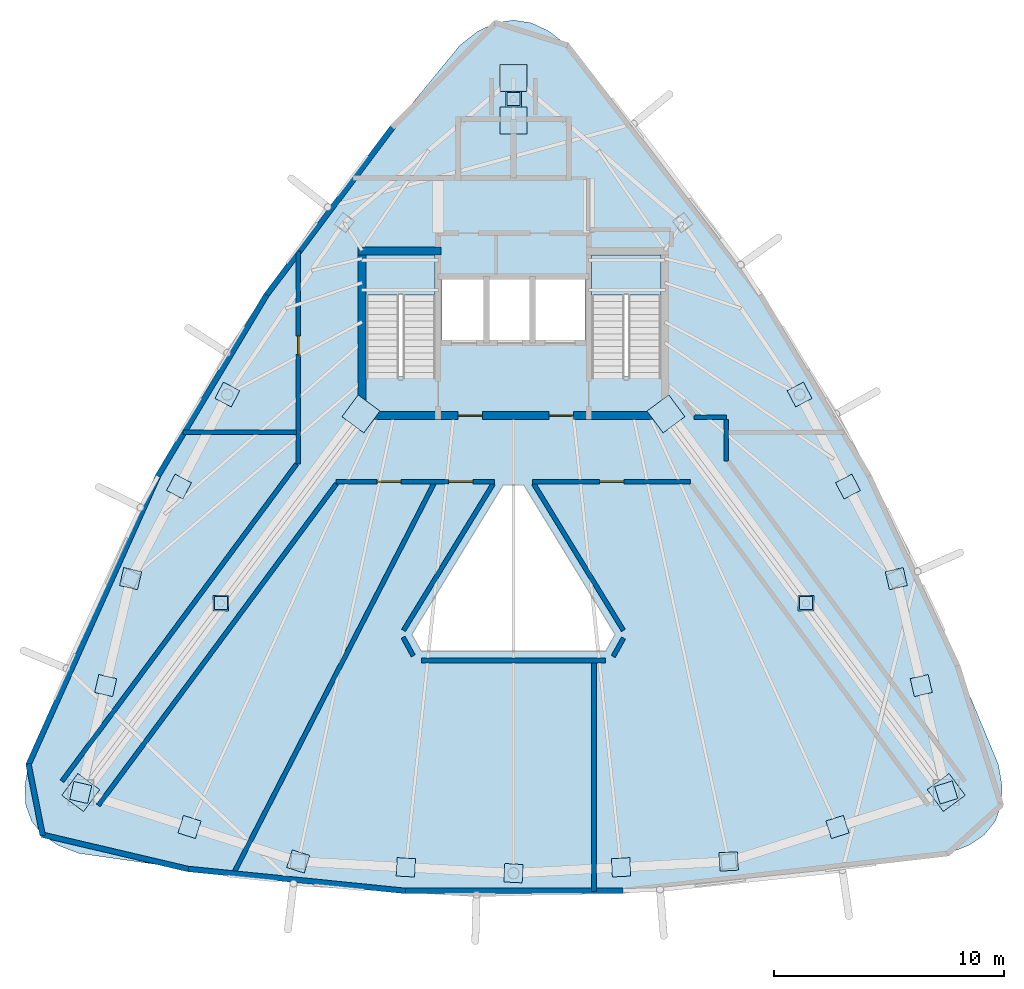
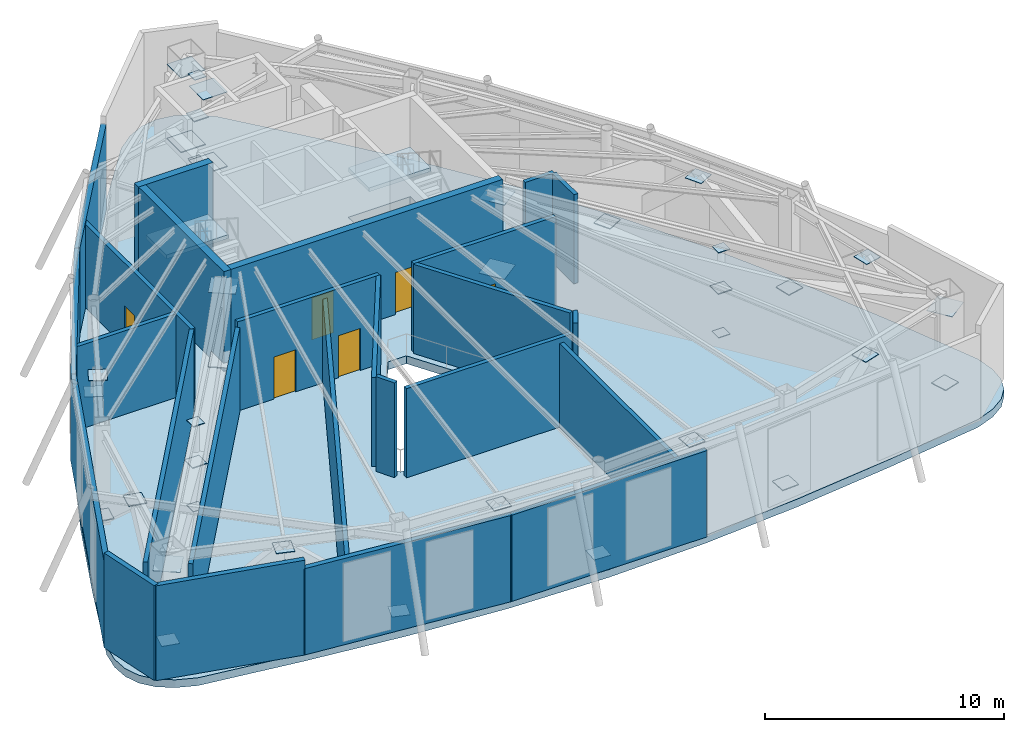
# One storey, part 5 of 9: 36 plates, 25 walls, 6 doors, 3 slabs, 6 openings, 2 elements without a shape of their own.
"""IFC4 building model written with IfcOpenShell, lengths in metres."""

from ifc_helpers import new_model, si_unit, direction, frame, frame_2d, origin, origin_2d, place, context, subcontext, project, spatial, polyline, rectangle, outline, extrude, material, layer, layer_set, type_object, element, fill, aggregate, save


model = new_model("IFC4")

# Units and contexts
model_context = context("Model", 3, precision=1e-05, world=origin(), true_north=direction((0.0, 1.0)))
body_context = subcontext(model_context, "Body", "Model", "MODEL_VIEW")
ifc_project = project(units=[si_unit("LENGTHUNIT", "METRE"), si_unit("AREAUNIT", "SQUARE_METRE"), si_unit("VOLUMEUNIT", "CUBIC_METRE"), si_unit("PLANEANGLEUNIT", "RADIAN"), si_unit("MASSUNIT", "GRAM", prefix="KILO")], contexts=[model_context])

# Site, building, storey
site_placement = place(None, origin())
site = spatial("IfcSite", under=ifc_project, at=site_placement, CompositionType="ELEMENT")
building_placement = place(site_placement, origin())
building = spatial("IfcBuilding", under=site, at=building_placement, Name="Orvanel Arch Residences", CompositionType="ELEMENT")
storey_placement = place(building_placement, frame((0.0, 0.0, 281.0)))
storey = spatial("IfcBuildingStorey", under=building, at=storey_placement, Name="L80", CompositionType="ELEMENT", Elevation=281.0)

# Plates
ifc_material_1 = material(Name="Structural steel AS/NZS 3678 Grade 350", Category="steel")
ifc_layer_1 = layer(ifc_material_1, 0.028076171875)
ifc_layer_set_1 = layer_set([ifc_layer_1], Name="Structural steel AS/NZS 3678 Grade 350")
plate_type_1 = type_object("IfcPlateType", Name="PL-CAP-28", PredefinedType="SHEET", material=ifc_layer_set_1)
for number, where, z_axis, x_axis, name in (
    (1, (16.366943359375, 19.64208984375, 0.2861328125), (0.0, 0.0, 1.0), (0.226651307437, 0.973975967279, 0.0), "L80 hollow member end cap plate"),
    (2, (15.282958984375, 14.9970703125, 4.2861328125), (0.0, 0.0, 1.0), (0.226651307437, 0.973975967279, 0.0), "L80 hollow member end cap plate"),
    (3, (14.198974609375, 10.35107421875, 0.2861328125), (0.0, 0.0, 1.0), (0.226651307437, 0.973975967279, 0.0), "L80 hollow member end cap plate"),
    (4, (18.924072265625, 8.85302734375, 4.2861328125), (0.0, 0.0, 1.0), (-0.953190667793, 0.30236989075, 0.0), "L80 hollow member end cap plate"),
    (5, (23.64892578125, 7.35498046875, 0.2861328125), (0.0, 0.0, 1.0), (-0.953190667793, 0.30236989075, 0.0), "L80 hollow member end cap plate"),
    (6, (28.324951171875, 7.10009765625, 4.2861328125), (0.0, 0.0, 1.0), (-0.998536670326, 0.054078812985, 0.0), "L80 hollow member end cap plate"),
    (7, (33.0, 6.843994140625, 0.2861328125), (0.0, 0.0, 1.0), (-0.998536670326, 0.054078812985, 0.0), "L80 hollow member end cap plate"),
    (8, (37.675048828125, 7.10009765625, 4.2861328125), (0.0, 0.0, 1.0), (0.998536670326, 0.054078812985, 0.0), "L80 hollow member end cap plate"),
    (9, (42.35107421875, 7.35498046875, 0.2861328125), (0.0, 0.0, 1.0), (0.998536670326, 0.054078812985, 0.0), "L80 hollow member end cap plate"),
    (10, (47.075927734375, 8.85302734375, 4.2861328125), (0.0, 0.0, 1.0), (0.953190667793, 0.30236989075, 0.0), "L80 hollow member end cap plate"),
    (11, (51.801025390625, 10.35107421875, 0.2861328125), (0.0, 0.0, 1.0), (0.953190667793, 0.30236989075, 0.0), "L80 hollow member end cap plate"),
    (12, (50.717041015625, 14.9970703125, 4.2861328125), (0.0, 0.0, 1.0), (-0.226651307437, 0.973975967279, 0.0), "L80 hollow member end cap plate"),
    (13, (49.633056640625, 19.64208984375, 0.2861328125), (0.0, 0.0, 1.0), (-0.226651307437, 0.973975967279, 0.0), "L80 hollow member end cap plate"),
    (14, (47.531982421875, 23.64208984375, 4.2861328125), (0.0, 0.0, 1.0), (-0.464842045725, 0.885393625754, 0.0), "L80 hollow member end cap plate"),
    (15, (45.430908203125, 27.64111328125, 0.2861328125), (0.0, 0.0, 1.0), (-0.464842045725, 0.885393625754, 0.0), "L80 hollow member end cap plate"),
    (16, (20.569091796875, 27.64111328125, 0.2861328125), (0.0, 0.0, 1.0), (0.464842045725, 0.885393625754, 0.0), "L80 hollow member end cap plate"),
    (17, (18.468017578125, 23.64208984375, 4.2861328125), (0.0, 0.0, 1.0), (0.464842045725, 0.885393625754, 0.0), "L80 hollow member end cap plate"),
):
    element("IfcPlate", number, at=place(storey_placement, frame(where, z_axis=z_axis, x_axis=x_axis)), inside=storey, type_object=plate_type_1, Name=name, PredefinedType="SHEET", context=body_context, shape_type="SweptSolid", body=[
        extrude(rectangle(XDim=0.800048828125, YDim=0.800048828125, at=origin_2d()), origin(), (0.0, 0.0, 1.0), 0.028076171875),
    ])
for number, where, z_axis, x_axis, name in (
    (18, (33.0, 39.550048828125, 0.3857421875), (0.0, 0.0, 1.0), (0.0, 1.0, 0.0), "L80 hollow member end cap plate"),
    (19, (33.0, 41.39794921875, 4.18603515625), (0.0, 0.0, 1.0), (0.0, 1.0, 0.0), "L80 hollow member end cap plate"),
    (20, (33.0, 39.550048828125, 4.18603515625), (0.0, 0.0, 1.0), (0.0, 1.0, 0.0), "L80 hollow member end cap plate"),
    (21, (33.0, 41.39794921875, 0.3857421875), (0.0, 0.0, 1.0), (0.0, 1.0, 0.0), "L80 hollow member end cap plate"),
    (22, (26.375, 26.800048828125, 0.3857421875), (0.0, 0.0, 1.0), (0.594822786751, 0.803856860617, 0.0), "L80 hollow member end cap plate"),
    (23, (14.198974609375, 10.35107421875, 4.18603515625), (0.0, 0.0, 1.0), (0.594822786751, 0.803856860617, 0.0), "L80 hollow member end cap plate"),
    (24, (26.375, 26.800048828125, 4.18603515625), (0.0, 0.0, 1.0), (0.594822786751, 0.803856860617, 0.0), "L80 hollow member end cap plate"),
    (25, (39.625, 26.800048828125, 0.3857421875), (0.0, 0.0, 1.0), (-0.594822786751, 0.803856860617, 0.0), "L80 hollow member end cap plate"),
    (26, (51.801025390625, 10.35107421875, 4.18603515625), (0.0, 0.0, 1.0), (-0.594822786751, 0.803856860617, 0.0), "L80 hollow member end cap plate"),
    (27, (39.625, 26.800048828125, 4.18603515625), (0.0, 0.0, 1.0), (-0.594822786751, 0.803856860617, 0.0), "L80 hollow member end cap plate"),
):
    element("IfcPlate", number, at=place(storey_placement, frame(where, z_axis=z_axis, x_axis=x_axis)), inside=storey, type_object=plate_type_1, Name=name, PredefinedType="SHEET", context=body_context, shape_type="SweptSolid", body=[
        extrude(rectangle(XDim=1.179931640625, YDim=1.179931640625, at=origin_2d()), origin(), (0.0, 0.0, 1.0), 0.028076171875),
    ])
for number, where, z_axis, x_axis, name in (
    (28, (33.0, 40.47412109375, -0.01416015625), (0.0, 0.0, 1.0), (1.0, 0.0, 0.0), "L80 hollow member end cap plate"),
    (29, (33.0, 40.47412109375, 4.3359375), (0.0, 0.0, 1.0), (1.0, 0.0, 0.0), "L80 hollow member end cap plate"),
    (30, (20.287109375, 18.575927734375, -0.01416015625), (0.0, 0.0, 1.0), (1.0, 0.0, 0.0), "L80 hollow member end cap plate"),
    (31, (20.287109375, 18.575927734375, 4.3359375), (0.0, 0.0, 1.0), (1.0, 0.0, 0.0), "L80 hollow member end cap plate"),
    (32, (45.712890625, 18.575927734375, -0.01416015625), (0.0, 0.0, 1.0), (1.0, 0.0, 0.0), "L80 hollow member end cap plate"),
    (33, (45.712890625, 18.575927734375, 4.3359375), (0.0, 0.0, 1.0), (1.0, 0.0, 0.0), "L80 hollow member end cap plate"),
):
    element("IfcPlate", number, at=place(storey_placement, frame(where, z_axis=z_axis, x_axis=x_axis)), inside=storey, type_object=plate_type_1, Name=name, PredefinedType="SHEET", context=body_context, shape_type="SweptSolid", body=[
        extrude(rectangle(XDim=0.56005859375, YDim=0.56005859375, at=origin_2d()), origin(), (0.0, 0.0, 1.0), 0.028076171875),
    ])
ifc_layer_2 = layer(ifc_material_1, 0.035888671875)
ifc_layer_set_2 = layer_set([ifc_layer_2], Name="Structural steel AS/NZS 3678 Grade 350")
plate_type_2 = type_object("IfcPlateType", Name="PL-GUS-36", PredefinedType="USERDEFINED", material=ifc_layer_set_2)
for number, where, z_axis, x_axis, name in (
    (34, (33.0, 40.47412109375, 2.2822265625), (0.0, 0.0, 1.0), (1.0, 0.0, 0.0), "L80 Outrigger Gusset Plate 1-1"),
    (35, (20.287109375, 18.575927734375, 2.2822265625), (0.0, 0.0, 1.0), (1.0, 0.0, 0.0), "L80 Outrigger Gusset Plate 2-1"),
    (36, (45.712890625, 18.575927734375, 2.2822265625), (0.0, 0.0, 1.0), (1.0, 0.0, 0.0), "L80 Outrigger Gusset Plate 3-1"),
):
    element("IfcPlate", number, at=place(storey_placement, frame(where, z_axis=z_axis, x_axis=x_axis)), inside=storey, type_object=plate_type_2, Name=name, ObjectType="GUSSET_PLATE", PredefinedType="USERDEFINED", context=body_context, shape_type="SweptSolid", body=[
        extrude(rectangle(XDim=0.679931640625, YDim=0.679931640625, at=origin_2d()), origin(), (0.0, 0.0, 1.0), 0.035888671875),
    ])

# Stair, slab
ifc_material_2 = material(Name="Precast concrete N50 (50 MPa)", Category="concrete")
stair_type = type_object("IfcStairType", Name="STR-DOG-181", PredefinedType="USERDEFINED", material=ifc_material_2)
stair_1_placement = place(storey_placement, origin())
stair_1 = element("IfcStair", 37, at=stair_1_placement, inside=storey, type_object=stair_type, Name="L80 Fire-Isolated Core Exit Stair 1", ObjectType="TWO_RETURN_STAIR", PredefinedType="USERDEFINED")
ifc_material_3 = material(Name="Concrete N40 (40 MPa)", Category="concrete")
ifc_layer_3 = layer(ifc_material_3, 0.199951171875)
ifc_layer_set_3 = layer_set([ifc_layer_3], Name="Concrete N40 (40 MPa)")
slab_type_1 = type_object("IfcSlabType", Name="SLB-LND-200", PredefinedType="LANDING", material=ifc_layer_set_3)
slab_1_placement = place(storey_placement, frame((0.0, 0.0, 2.35009765625)))
slab_1 = element("IfcSlab", 38, at=slab_1_placement, type_object=slab_type_1, Name="ST-1 landing 1", PredefinedType="LANDING", context=body_context, shape_type="SweptSolid", body=[
    extrude(outline(polyline([(29.60009765625, 31.9599609375), (29.60009765625, 33.699951171875), (26.60009765625, 33.699951171875), (26.60009765625, 31.9599609375), (29.60009765625, 31.9599609375)])), origin(), (0.0, 0.0, 1.0), 0.199951171875),
])
aggregate(stair_1, [slab_1])

stair_2_placement = place(storey_placement, origin())
stair_2 = element("IfcStair", 39, at=stair_2_placement, inside=storey, type_object=stair_type, Name="L80 Fire-Isolated Core Exit Stair 2", ObjectType="TWO_RETURN_STAIR", PredefinedType="USERDEFINED")
slab_2_placement = place(storey_placement, frame((0.0, 0.0, 2.35009765625)))
slab_2 = element("IfcSlab", 40, at=slab_2_placement, type_object=slab_type_1, Name="ST-2 landing 1", PredefinedType="LANDING", context=body_context, shape_type="SweptSolid", body=[
    extrude(outline(polyline([(39.39990234375, 31.9599609375), (39.39990234375, 33.699951171875), (36.39990234375, 33.699951171875), (36.39990234375, 31.9599609375), (39.39990234375, 31.9599609375)])), origin(), (0.0, 0.0, 1.0), 0.199951171875),
])
aggregate(stair_2, [slab_2])

# Slab
ifc_material_4 = material(Name="Concrete N50 (50 MPa)", Category="concrete")
ifc_layer_4 = layer(ifc_material_4, 0.39990234375)
ifc_layer_set_4 = layer_set([ifc_layer_4], Name="Concrete N50 (50 MPa)")
slab_type_2 = type_object("IfcSlabType", Name="SLB-TRF-400", PredefinedType="FLOOR", material=ifc_layer_set_4)
slab_3_placement = place(storey_placement, frame((0.0, 0.0, -0.39990234375)))
element("IfcSlab", 41, at=slab_3_placement, inside=storey, type_object=slab_type_2, Name="L80 Tower Floor Slab", PredefinedType="FLOOR", context=body_context, shape_type="SweptSolid", body=[
    extrude(outline(polyline([(35.31494140625, 42.827880859375), (34.54296875, 43.428955078125), (33.77197265625, 43.7890625), (33.0, 43.908935546875), (32.22802734375, 43.7890625), (31.45703125, 43.428955078125), (30.68505859375, 42.827880859375), (27.762939453125, 39.26806640625), (24.927978515625, 35.654052734375), (22.256103515625, 31.94189453125), (19.797119140625, 28.10400390625), (17.568115234375, 24.126953125), (15.552001953125, 20.02197265625), (13.697998046875, 15.820068359375), (11.931884765625, 11.56494140625), (11.76611328125, 10.6220703125), (11.81201171875, 9.799072265625), (12.071044921875, 9.094970703125), (12.541015625, 8.511962890625), (13.222900390625, 8.049072265625), (14.116943359375, 7.7060546875), (18.837890625, 7.031982421875), (23.55908203125, 6.4599609375), (28.279052734375, 6.077880859375), (33.0, 5.944091796875), (37.720947265625, 6.077880859375), (42.44091796875, 6.4599609375), (47.162109375, 7.031982421875), (51.883056640625, 7.7060546875), (52.777099609375, 8.049072265625), (53.458984375, 8.511962890625), (53.928955078125, 9.094970703125), (54.18798828125, 9.799072265625), (54.23388671875, 10.6220703125), (54.068115234375, 11.56494140625), (52.302001953125, 15.820068359375), (50.447998046875, 20.02197265625), (48.431884765625, 24.126953125), (46.202880859375, 28.10400390625), (43.743896484375, 31.94189453125), (41.072021484375, 35.654052734375), (38.237060546875, 39.26806640625), (35.31494140625, 42.827880859375)]), holes=[polyline([(26.60009765625, 28.429931640625), (26.60009765625, 33.699951171875), (29.60009765625, 33.699951171875), (29.60009765625, 28.429931640625), (26.60009765625, 28.429931640625)]), polyline([(36.39990234375, 28.429931640625), (36.39990234375, 33.699951171875), (39.39990234375, 33.699951171875), (39.39990234375, 28.429931640625), (36.39990234375, 28.429931640625)]), polyline([(29.89990234375, 32.64990234375), (31.75, 32.64990234375), (31.75, 29.949951171875), (29.89990234375, 29.949951171875), (29.89990234375, 32.64990234375)]), polyline([(31.89990234375, 32.64990234375), (33.75, 32.64990234375), (33.75, 29.949951171875), (31.89990234375, 29.949951171875), (31.89990234375, 32.64990234375)]), polyline([(33.89990234375, 32.64990234375), (36.10009765625, 32.64990234375), (36.10009765625, 29.949951171875), (33.89990234375, 29.949951171875), (33.89990234375, 32.64990234375)]), polyline([(37.416015625, 17.219970703125), (37.006103515625, 16.488037109375), (28.993896484375, 16.488037109375), (28.583984375, 17.219970703125), (32.552978515625, 23.7119140625), (33.447021484375, 23.7119140625), (37.416015625, 17.219970703125)])]), origin(), (0.0, 0.0, 1.0), 0.39990234375),
])

# Walls
ifc_layer_5 = layer(ifc_material_2, 0.239990234375)
ifc_layer_set_5 = layer_set([ifc_layer_5], Name="Precast concrete N50 (50 MPa)")
wall_type_1 = type_object("IfcWallType", Name="EW-BAL-240", PredefinedType="SOLIDWALL", material=ifc_layer_set_5)
wall_1_placement = place(storey_placement, frame((27.783935546875, 39.2958984375, 0.0), z_axis=(0.0, 0.0, 1.0), x_axis=(-0.600862558123, -0.799352354251, 0.0)))
element("IfcWall", 42, at=wall_1_placement, inside=storey, type_object=wall_type_1, Name="L80 Plant Acoustic Louvre Wall Face 1A", PredefinedType="SOLIDWALL", context=body_context, shape_type="SweptSolid", body=[
    extrude(rectangle(XDim=9.23486328125, YDim=0.239990234375, at=frame_2d((4.617431640625, 0.0))), origin(), (0.0, 0.0, 1.0), 4.4140625),
])
wall_2_placement = place(storey_placement, frame((22.27392578125, 31.971923828125, 0.0), z_axis=(0.0, 0.0, 1.0), x_axis=(-0.514405830532, -0.857546874238, 0.0)))
element("IfcWall", 43, at=wall_2_placement, inside=storey, type_object=wall_type_1, Name="L80 Plant Acoustic Louvre Wall Face 1B", PredefinedType="SOLIDWALL", context=body_context, shape_type="SweptSolid", body=[
    extrude(rectangle(XDim=9.18310546875, YDim=0.239990234375, at=frame_2d((4.591552734375, 0.0))), origin(), (0.0, 0.0, 1.0), 4.4140625),
])
wall_3_placement = place(storey_placement, frame((17.58203125, 24.158935546875, 0.0), z_axis=(0.0, 0.0, 1.0), x_axis=(-0.40930511918, -0.912397566532, 0.0)))
element("IfcWall", 44, at=wall_3_placement, inside=storey, type_object=wall_type_1, Name="L80 Plant Acoustic Louvre Wall Face 1C", PredefinedType="SOLIDWALL", context=body_context, shape_type="SweptSolid", body=[
    extrude(rectangle(XDim=13.838134765625, YDim=0.239990234375, at=frame_2d((6.9189453125, 0.0))), origin(), (0.0, 0.0, 1.0), 4.4140625),
])
wall_4_placement = place(storey_placement, frame((18.802978515625, 7.034912109375, 0.0), z_axis=(0.0, 0.0, 1.0), x_axis=(0.994934764034, -0.100522710456, 0.0)))
element("IfcWall", 45, at=wall_4_placement, inside=storey, type_object=wall_type_1, Name="L80 Plant Acoustic Louvre Wall Face 2A", PredefinedType="SOLIDWALL", context=body_context, shape_type="SweptSolid", body=[
    extrude(rectangle(XDim=9.559326171875, YDim=0.239990234375, at=frame_2d((4.77978515625, 0.0))), origin(), (0.0, 0.0, 1.0), 4.4140625),
])
wall_5_placement = place(storey_placement, frame((28.243896484375, 6.077880859375, 0.0), z_axis=(0.0, 0.0, 1.0), x_axis=(1.0, 0.0, 0.0)))
element("IfcWall", 46, at=wall_5_placement, inside=storey, type_object=wall_type_1, Name="L80 Plant Acoustic Louvre Wall Face 2B", PredefinedType="SOLIDWALL", context=body_context, shape_type="SweptSolid", body=[
    extrude(rectangle(XDim=9.51220703125, YDim=0.239990234375, at=frame_2d((4.756103515625, 0.0))), origin(), (0.0, 0.0, 1.0), 4.4140625),
])
wall_6_placement = place(storey_placement, frame((11.925048828125, 11.60009765625, 0.0), z_axis=(0.0, 0.0, 1.0), x_axis=(0.195703192037, -0.980663173891, 0.0)))
element("IfcWall", 47, at=wall_6_placement, inside=storey, type_object=wall_type_1, Name="L80 Plant Corner Enclosure Wall", PredefinedType="SOLIDWALL", context=body_context, shape_type="SweptSolid", body=[
    extrude(rectangle(XDim=3.18359375, YDim=0.239990234375, at=frame_2d((1.591796875, 0.0))), origin(), (0.0, 0.0, 1.0), 4.85009765625),
])
wall_7_placement = place(storey_placement, frame((12.507080078125, 8.52001953125, 0.0), z_axis=(0.0, 0.0, 1.0), x_axis=(0.973470029367, -0.228814557937, 0.0)))
element("IfcWall", 48, at=wall_7_placement, inside=storey, type_object=wall_type_1, Name="L80 Plant Corner Enclosure Wall", PredefinedType="SOLIDWALL", context=body_context, shape_type="SweptSolid", body=[
    extrude(rectangle(XDim=6.53857421875, YDim=0.239990234375, at=frame_2d((3.269287109375, 0.0))), origin(), (0.0, 0.0, 1.0), 4.85009765625),
])

# Wall, openings, doors
ifc_layer_6 = layer(ifc_material_4, 0.35009765625)
ifc_layer_set_6 = layer_set([ifc_layer_6], Name="Concrete N50 (50 MPa)")
wall_type_2 = type_object("IfcWallType", Name="SW-CORE-350", PredefinedType="SHEAR", material=ifc_layer_set_6)
wall_8_placement = place(storey_placement, frame((26.25, 26.72509765625, 0.0), z_axis=(0.0, 0.0, 1.0), x_axis=(1.0, 0.0, 0.0)))
wall_8 = element("IfcWall", 49, at=wall_8_placement, inside=storey, type_object=wall_type_2, Name="L80 South Core Shear Wall", PredefinedType="SHEAR", context=body_context, shape_type="SweptSolid", body=[
    extrude(rectangle(XDim=13.5, YDim=0.35009765625, at=frame_2d((6.75, 0.0))), origin(), (0.0, 0.0, 1.0), 5.10009765625),
])
opening_1_placement = place(wall_8_placement, frame((4.35009765625, 0.0, 0.0)))
opening_1 = element("IfcOpeningElement", 50, at=opening_1_placement, cuts=wall_8, Name="Opening DF-060", PredefinedType="OPENING", context=body_context, shape_type="SweptSolid", body=[
    extrude(rectangle(XDim=1.050048828125, YDim=2.14990234375, at=frame_2d((0.52490234375, 1.074951171875))), frame((0.0, 0.18505859375, 0.0), z_axis=(0.0, -1.0, 0.0), x_axis=(1.0, 0.0, 0.0)), (0.0, 0.0, 1.0), 0.3701171875),
])
opening_2_placement = place(wall_8_placement, frame((8.300048828125, 0.0, 0.0)))
opening_2 = element("IfcOpeningElement", 51, at=opening_2_placement, cuts=wall_8, Name="Opening DF-060", PredefinedType="OPENING", context=body_context, shape_type="SweptSolid", body=[
    extrude(rectangle(XDim=1.050048828125, YDim=2.14990234375, at=frame_2d((0.52490234375, 1.074951171875))), frame((0.0, 0.18505859375, 0.0), z_axis=(0.0, -1.0, 0.0), x_axis=(1.0, 0.0, 0.0)), (0.0, 0.0, 1.0), 0.3701171875),
])
ifc_material_5 = material(Name="Galvanised steel fire-resisting door assembly", Category="steel")
door_type_1 = type_object("IfcDoorType", Name="DR-FD60-1050", OperationType="NOTDEFINED", PredefinedType="DOOR", material=ifc_material_5)
door_1_placement = place(opening_1_placement, origin())
door_1 = element("IfcDoor", 52, at=door_1_placement, inside=storey, type_object=door_type_1, Name="DR-L80-FFL-W L80 West Smoke Lobby Door", OperationType="SINGLE_SWING_LEFT", OverallHeight=2.14990234375, OverallWidth=1.050048828125, PredefinedType="DOOR", context=body_context, shape_type="SweptSolid", body=[
    extrude(rectangle(XDim=1.050048828125, YDim=2.14990234375, at=frame_2d((0.52490234375, 1.074951171875))), frame((0.0, 0.02490234375, 0.0), z_axis=(0.0, -1.0, 0.0), x_axis=(1.0, 0.0, 0.0)), (0.0, 0.0, 1.0), 0.050048828125),
])
fill(opening_1, door_1)
door_2_placement = place(opening_2_placement, origin())
door_2 = element("IfcDoor", 53, at=door_2_placement, inside=storey, type_object=door_type_1, Name="DR-L80-FFL-E L80 East Smoke Lobby Door", OperationType="SINGLE_SWING_RIGHT", OverallHeight=2.14990234375, OverallWidth=1.050048828125, PredefinedType="DOOR", context=body_context, shape_type="SweptSolid", body=[
    extrude(rectangle(XDim=1.050048828125, YDim=2.14990234375, at=frame_2d((0.52490234375, 1.074951171875))), frame((0.0, 0.02490234375, 0.0), z_axis=(0.0, -1.0, 0.0), x_axis=(1.0, 0.0, 0.0)), (0.0, 0.0, 1.0), 0.050048828125),
])
fill(opening_2, door_2)

# Walls
wall_9_placement = place(storey_placement, frame((26.425048828125, 26.550048828125, 0.0), z_axis=(0.0, 0.0, 1.0), x_axis=(0.0, 1.0, 0.0)))
element("IfcWall", 54, at=wall_9_placement, inside=storey, type_object=wall_type_2, Name="L80 West Stair Shear Wall", PredefinedType="SHEAR", context=body_context, shape_type="SweptSolid", body=[
    extrude(rectangle(XDim=7.5, YDim=0.35009765625, at=frame_2d((3.75, 0.0))), origin(), (0.0, 0.0, 1.0), 5.10009765625),
])
wall_10_placement = place(storey_placement, frame((26.25, 33.875, 0.0), z_axis=(0.0, 0.0, 1.0), x_axis=(1.0, 0.0, 0.0)))
element("IfcWall", 55, at=wall_10_placement, inside=storey, type_object=wall_type_2, Name="L80 West Stair North Shear Wall", PredefinedType="SHEAR", context=body_context, shape_type="SweptSolid", body=[
    extrude(rectangle(XDim=3.60009765625, YDim=0.35009765625, at=frame_2d((1.800048828125, 0.0))), origin(), (0.0, 0.0, 1.0), 5.10009765625),
])

# Wall, opening, door
ifc_material_6 = material(Name="Fire-rated plasterboard lined steel stud partition", Category="steel")
ifc_layer_7 = layer(ifc_material_6, 0.199951171875)
ifc_layer_set_7 = layer_set([ifc_layer_7], Name="Fire-rated plasterboard lined steel stud partition")
wall_type_3 = type_object("IfcWallType", Name="W-PLT-200", PredefinedType="PARTITIONING", material=ifc_layer_set_7)
wall_11_placement = place(storey_placement, frame((23.64990234375, 24.614990234375, 0.0), z_axis=(0.0, 0.0, 1.0), x_axis=(0.0, 1.0, 0.0)))
wall_11 = element("IfcWall", 56, at=wall_11_placement, inside=storey, type_object=wall_type_3, Name="L80 Fire-Rated Refuge and Plant Corridor Wall", PredefinedType="PARTITIONING", context=body_context, shape_type="SweptSolid", body=[
    extrude(rectangle(XDim=9.255126953125, YDim=0.199951171875, at=frame_2d((4.62744140625, 0.0))), origin(), (0.0, 0.0, 1.0), 4.281982421875),
])
opening_3_placement = place(wall_11_placement, frame((4.760009765625, 0.0, 0.0)))
opening_3 = element("IfcOpeningElement", 57, at=opening_3_placement, cuts=wall_11, Name="Opening DW-082", PredefinedType="OPENING", context=body_context, shape_type="SweptSolid", body=[
    extrude(rectangle(XDim=0.820068359375, YDim=2.10009765625, at=frame_2d((0.41015625, 1.050048828125))), frame((0.0, 0.10986328125, 0.0), z_axis=(0.0, -1.0, 0.0), x_axis=(1.0, 0.0, 0.0)), (0.0, 0.0, 1.0), 0.219970703125),
])
ifc_material_7 = material(Name="Solid-core European oak veneer fire door leaf", Category="wood")
door_type_2 = type_object("IfcDoorType", Name="DR-WET-820", OperationType="NOTDEFINED", PredefinedType="DOOR", material=ifc_material_7)
door_3_placement = place(opening_3_placement, origin())
door_3 = element("IfcDoor", 58, at=door_3_placement, inside=storey, type_object=door_type_2, Name="DR-L80-PR-1 L80 L80 Refuge Accessible WC Fire Door", OperationType="SINGLE_SWING_LEFT", OverallHeight=2.10009765625, OverallWidth=0.820068359375, PredefinedType="DOOR", context=body_context, shape_type="SweptSolid", body=[
    extrude(rectangle(XDim=0.820068359375, YDim=2.10009765625, at=frame_2d((0.41015625, 1.050048828125))), frame((0.0, 0.02490234375, 0.0), z_axis=(0.0, -1.0, 0.0), x_axis=(1.0, 0.0, 0.0)), (0.0, 0.0, 1.0), 0.050048828125),
])
fill(opening_3, door_3)

# Wall, openings, doors
wall_12_placement = place(storey_placement, frame((32.16796875, 23.85009765625, 0.0), z_axis=(0.0, 0.0, 1.0), x_axis=(-1.0, 0.0, 0.0)))
wall_12 = element("IfcWall", 59, at=wall_12_placement, inside=storey, type_object=wall_type_3, Name="L80 Fire-Rated Refuge and Plant Corridor Wall", PredefinedType="PARTITIONING", context=body_context, shape_type="SweptSolid", body=[
    extrude(rectangle(XDim=6.868896484375, YDim=0.199951171875, at=frame_2d((3.4345703125, 0.0))), origin(), (0.0, 0.0, 1.0), 4.56298828125),
])
opening_4_placement = place(wall_12_placement, frame((0.930908203125, 0.0, 0.0)))
opening_4 = element("IfcOpeningElement", 60, at=opening_4_placement, cuts=wall_12, Name="Opening DF-120", PredefinedType="OPENING", context=body_context, shape_type="SweptSolid", body=[
    extrude(rectangle(XDim=1.050048828125, YDim=2.14990234375, at=frame_2d((0.52490234375, 1.074951171875))), frame((0.0, 0.10986328125, 0.0), z_axis=(0.0, -1.0, 0.0), x_axis=(1.0, 0.0, 0.0)), (0.0, 0.0, 1.0), 0.219970703125),
])
opening_5_placement = place(wall_12_placement, frame((4.052001953125, 0.0, 0.0)))
opening_5 = element("IfcOpeningElement", 61, at=opening_5_placement, cuts=wall_12, Name="Opening DF-120", PredefinedType="OPENING", context=body_context, shape_type="SweptSolid", body=[
    extrude(rectangle(XDim=1.050048828125, YDim=2.14990234375, at=frame_2d((0.52490234375, 1.074951171875))), frame((0.0, 0.10986328125, 0.0), z_axis=(0.0, -1.0, 0.0), x_axis=(1.0, 0.0, 0.0)), (0.0, 0.0, 1.0), 0.219970703125),
])
door_type_3 = type_object("IfcDoorType", Name="DR-FD120-1050", OperationType="NOTDEFINED", PredefinedType="DOOR", material=ifc_material_5)
door_4_placement = place(opening_4_placement, origin())
door_4 = element("IfcDoor", 62, at=door_4_placement, inside=storey, type_object=door_type_3, Name="DR-L80-PR-3 L80 L80 Mechanical Air-Handling Plant Room Fire Door", OperationType="SINGLE_SWING_LEFT", OverallHeight=2.14990234375, OverallWidth=1.050048828125, PredefinedType="DOOR", context=body_context, shape_type="SweptSolid", body=[
    extrude(rectangle(XDim=1.050048828125, YDim=2.14990234375, at=frame_2d((0.52490234375, 1.074951171875))), frame((0.0, 0.02490234375, 0.0), z_axis=(0.0, -1.0, 0.0), x_axis=(1.0, 0.0, 0.0)), (0.0, 0.0, 1.0), 0.050048828125),
])
fill(opening_4, door_4)
door_5_placement = place(opening_5_placement, origin())
door_5 = element("IfcDoor", 63, at=door_5_placement, inside=storey, type_object=door_type_3, Name="DR-L80-PR-4 L80 L80 Pressurised Fire Refuge Area 1 Fire Door", OperationType="SINGLE_SWING_LEFT", OverallHeight=2.14990234375, OverallWidth=1.050048828125, PredefinedType="DOOR", context=body_context, shape_type="SweptSolid", body=[
    extrude(rectangle(XDim=1.050048828125, YDim=2.14990234375, at=frame_2d((0.52490234375, 1.074951171875))), frame((0.0, 0.02490234375, 0.0), z_axis=(0.0, -1.0, 0.0), x_axis=(1.0, 0.0, 0.0)), (0.0, 0.0, 1.0), 0.050048828125),
])
fill(opening_5, door_5)

# Wall, opening, door
wall_13_placement = place(storey_placement, frame((40.700927734375, 23.85009765625, 0.0), z_axis=(0.0, 0.0, 1.0), x_axis=(-1.0, 0.0, 0.0)))
wall_13 = element("IfcWall", 64, at=wall_13_placement, inside=storey, type_object=wall_type_3, Name="L80 Fire-Rated Refuge and Plant Corridor Wall", PredefinedType="PARTITIONING", context=body_context, shape_type="SweptSolid", body=[
    extrude(rectangle(XDim=6.868896484375, YDim=0.199951171875, at=frame_2d((3.4345703125, 0.0))), origin(), (0.0, 0.0, 1.0), 4.56298828125),
])
opening_6_placement = place(wall_13_placement, frame((2.908935546875, 0.0, 0.0)))
opening_6 = element("IfcOpeningElement", 65, at=opening_6_placement, cuts=wall_13, Name="Opening DF-120", PredefinedType="OPENING", context=body_context, shape_type="SweptSolid", body=[
    extrude(rectangle(XDim=1.050048828125, YDim=2.14990234375, at=frame_2d((0.52490234375, 1.074951171875))), frame((0.0, 0.10986328125, 0.0), z_axis=(0.0, -1.0, 0.0), x_axis=(1.0, 0.0, 0.0)), (0.0, 0.0, 1.0), 0.219970703125),
])
door_6_placement = place(opening_6_placement, origin())
door_6 = element("IfcDoor", 66, at=door_6_placement, inside=storey, type_object=door_type_3, Name="DR-L80-PR-5 L80 L80 Pressurised Fire Refuge Area 2 Fire Door", OperationType="SINGLE_SWING_LEFT", OverallHeight=2.14990234375, OverallWidth=1.050048828125, PredefinedType="DOOR", context=body_context, shape_type="SweptSolid", body=[
    extrude(rectangle(XDim=1.050048828125, YDim=2.14990234375, at=frame_2d((0.52490234375, 1.074951171875))), frame((0.0, 0.02490234375, 0.0), z_axis=(0.0, -1.0, 0.0), x_axis=(1.0, 0.0, 0.0)), (0.0, 0.0, 1.0), 0.050048828125),
])
fill(opening_6, door_6)

# Walls
wall_14_placement = place(storey_placement, frame((40.843017578125, 26.64990234375, 0.0), z_axis=(0.0, 0.0, 1.0), x_axis=(1.0, 0.0, 0.0)))
element("IfcWall", 67, at=wall_14_placement, inside=storey, type_object=wall_type_3, Name="L80 Fire-Rated Refuge and Plant Corridor Wall", PredefinedType="PARTITIONING", context=body_context, shape_type="SweptSolid", body=[
    extrude(rectangle(XDim=1.406982421875, YDim=0.199951171875, at=frame_2d((0.70361328125, 0.0))), origin(), (0.0, 0.0, 1.0), 4.56298828125),
])
wall_15_placement = place(storey_placement, frame((42.25, 26.56494140625, 0.0), z_axis=(0.0, 0.0, 1.0), x_axis=(0.0, -1.0, 0.0)))
element("IfcWall", 68, at=wall_15_placement, inside=storey, type_object=wall_type_3, Name="L80 Fire-Rated Refuge and Plant Corridor Wall", PredefinedType="PARTITIONING", context=body_context, shape_type="SweptSolid", body=[
    extrude(rectangle(XDim=1.81494140625, YDim=0.199951171875, at=frame_2d((0.907470703125, 0.0))), origin(), (0.0, 0.0, 1.0), 4.56298828125),
])
wall_16_placement = place(storey_placement, frame((33.8779296875, 23.764892578125, 0.0), z_axis=(0.0, 0.0, 1.0), x_axis=(0.521961675214, -0.852968938244, 0.0)))
element("IfcWall", 69, at=wall_16_placement, inside=storey, type_object=wall_type_3, Name="L80 Atrium Smoke Wall", PredefinedType="PARTITIONING", context=body_context, shape_type="SweptSolid", body=[
    extrude(rectangle(XDim=7.4677734375, YDim=0.199951171875, at=frame_2d((3.73388671875, 0.0))), origin(), (0.0, 0.0, 1.0), 4.56298828125),
])
wall_17_placement = place(storey_placement, frame((37.781982421875, 17.05908203125, 0.0), z_axis=(0.0, 0.0, 1.0), x_axis=(-0.489033415255, -0.872265050752, 0.0)))
element("IfcWall", 70, at=wall_17_placement, inside=storey, type_object=wall_type_3, Name="L80 Atrium Smoke Wall", PredefinedType="PARTITIONING", context=body_context, shape_type="SweptSolid", body=[
    extrude(rectangle(XDim=0.916015625, YDim=0.199951171875, at=frame_2d((0.4580078125, 0.0))), origin(), (0.0, 0.0, 1.0), 4.85009765625),
])
wall_18_placement = place(storey_placement, frame((37.006103515625, 16.087890625, 0.0), z_axis=(0.0, 0.0, 1.0), x_axis=(-1.0, 0.0, 0.0)))
element("IfcWall", 71, at=wall_18_placement, inside=storey, type_object=wall_type_3, Name="L80 Atrium Smoke Wall", PredefinedType="PARTITIONING", context=body_context, shape_type="SweptSolid", body=[
    extrude(rectangle(XDim=8.01220703125, YDim=0.199951171875, at=frame_2d((4.006103515625, 0.0))), origin(), (0.0, 0.0, 1.0), 4.56298828125),
])
wall_19_placement = place(storey_placement, frame((28.64599609375, 16.2919921875, 0.0), z_axis=(0.0, 0.0, 1.0), x_axis=(-0.482133469033, 0.876097778811, 0.0)))
element("IfcWall", 72, at=wall_19_placement, inside=storey, type_object=wall_type_3, Name="L80 Atrium Smoke Wall", PredefinedType="PARTITIONING", context=body_context, shape_type="SweptSolid", body=[
    extrude(rectangle(XDim=0.91650390625, YDim=0.199951171875, at=frame_2d((0.458251953125, 0.0))), origin(), (0.0, 0.0, 1.0), 4.85009765625),
])
wall_20_placement = place(storey_placement, frame((28.22412109375, 17.39501953125, 0.0), z_axis=(0.0, 0.0, 1.0), x_axis=(0.521961675214, 0.852968938244, 0.0)))
element("IfcWall", 73, at=wall_20_placement, inside=storey, type_object=wall_type_3, Name="L80 Atrium Smoke Wall", PredefinedType="PARTITIONING", context=body_context, shape_type="SweptSolid", body=[
    extrude(rectangle(XDim=7.4677734375, YDim=0.199951171875, at=frame_2d((3.73388671875, 0.0))), origin(), (0.0, 0.0, 1.0), 4.56298828125),
])
wall_21_placement = place(storey_placement, frame((25.31005859375, 23.764892578125, 0.0), z_axis=(0.0, 0.0, 1.0), x_axis=(-0.594979776733, -0.803740670415, 0.0)))
element("IfcWall", 74, at=wall_21_placement, inside=storey, type_object=wall_type_3, Name="L80 Outrigger Truss Fire Enclosure Wall", PredefinedType="PARTITIONING", context=body_context, shape_type="SweptSolid", body=[
    extrude(rectangle(XDim=17.392333984375, YDim=0.199951171875, at=frame_2d((8.6962890625, 0.0))), origin(), (0.0, 0.0, 1.0), 4.281982421875),
])
wall_22_placement = place(storey_placement, frame((13.383056640625, 10.839111328125, 0.0), z_axis=(0.0, 0.0, 1.0), x_axis=(0.594794767013, 0.803877593377, 0.0)))
element("IfcWall", 75, at=wall_22_placement, inside=storey, type_object=wall_type_3, Name="L80 Outrigger Truss Fire Enclosure Wall", PredefinedType="PARTITIONING", context=body_context, shape_type="SweptSolid", body=[
    extrude(rectangle(XDim=17.13671875, YDim=0.199951171875, at=frame_2d((8.568359375, 0.0))), origin(), (0.0, 0.0, 1.0), 4.281982421875),
])
wall_23_placement = place(storey_placement, frame((36.5, 6.05810546875, 0.0), z_axis=(0.0, 0.0, 1.0), x_axis=(0.0, 1.0, 0.0)))
element("IfcWall", 76, at=wall_23_placement, inside=storey, type_object=wall_type_3, Name="L80 Fire Compartment Wall", PredefinedType="PARTITIONING", context=body_context, shape_type="SweptSolid", body=[
    extrude(rectangle(XDim=9.94482421875, YDim=0.199951171875, at=frame_2d((4.972412109375, 0.0))), origin(), (0.0, 0.0, 1.0), 4.281982421875),
])
wall_24_placement = place(storey_placement, frame((29.5400390625, 23.764892578125, 0.0), z_axis=(0.0, 0.0, 1.0), x_axis=(-0.456969259312, -0.889482487767, 0.0)))
element("IfcWall", 77, at=wall_24_placement, inside=storey, type_object=wall_type_3, Name="L80 Fire Compartment Wall", PredefinedType="PARTITIONING", context=body_context, shape_type="SweptSolid", body=[
    extrude(rectangle(XDim=19.067138671875, YDim=0.199951171875, at=frame_2d((9.53369140625, 0.0))), origin(), (0.0, 0.0, 1.0), 4.281982421875),
])
wall_25_placement = place(storey_placement, frame((18.633056640625, 26.0, 0.0), z_axis=(0.0, 0.0, 1.0), x_axis=(1.0, 0.0, 0.0)))
element("IfcWall", 78, at=wall_25_placement, inside=storey, type_object=wall_type_3, Name="L80 Fire Compartment Wall", PredefinedType="PARTITIONING", context=body_context, shape_type="SweptSolid", body=[
    extrude(rectangle(XDim=4.931884765625, YDim=0.199951171875, at=frame_2d((2.4658203125, 0.0))), origin(), (0.0, 0.0, 1.0), 4.281982421875),
])

save(model, "model.ifc")
